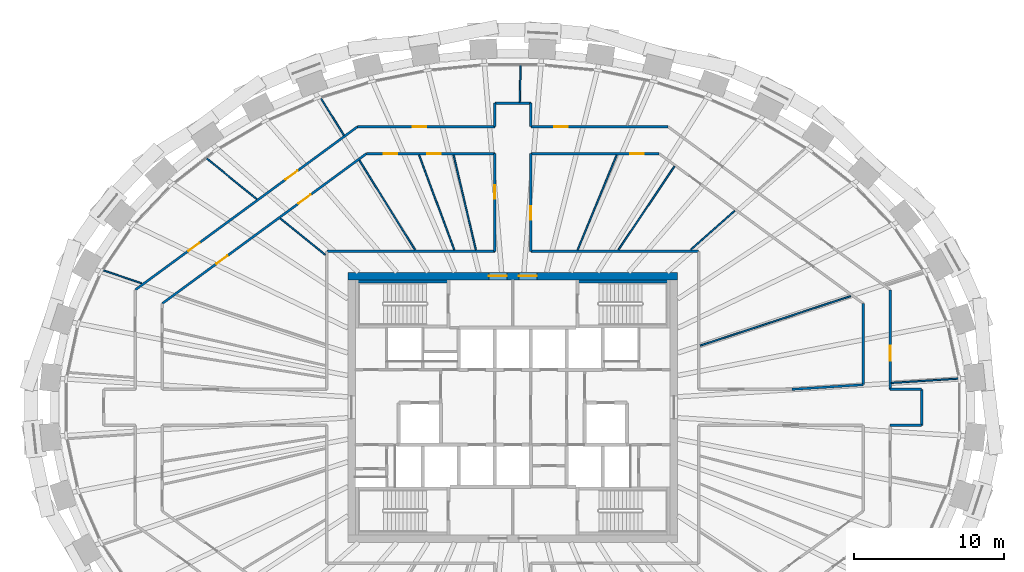
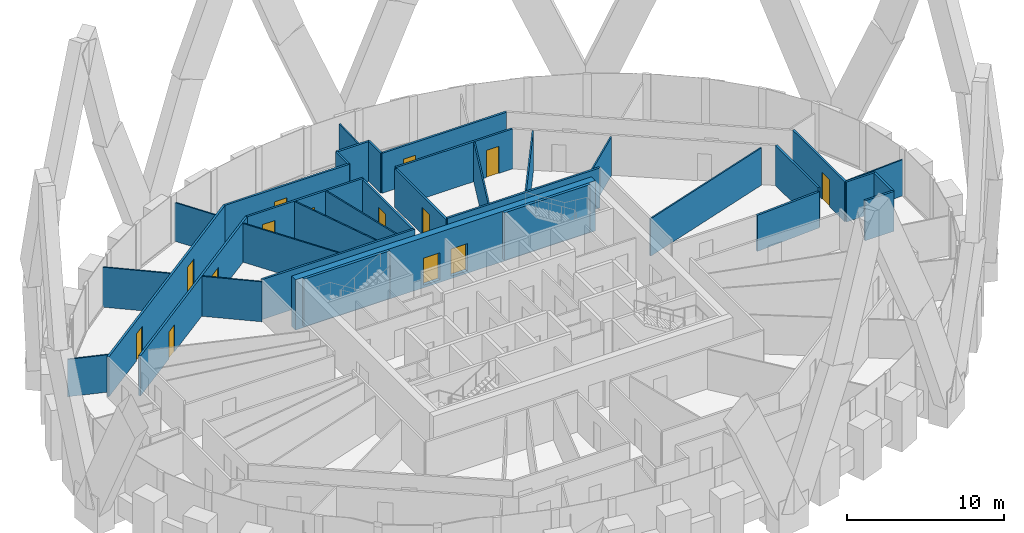
# One storey, part 11 of 14: 35 walls, 14 doors, 14 openings.
"""IFC4 building model written with IfcOpenShell, lengths in metres."""

from ifc_helpers import new_model, si_unit, direction, frame, frame_2d, origin, place, context, subcontext, project, spatial, rectangle, extrude, source, transform, mapped, material, layer, layer_set, type_object, element, fill, save


model = new_model("IFC4")

# Units and contexts
model_context = context("Model", 3, precision=1e-05, world=origin(), true_north=direction((0.0, 1.0)))
body_context = subcontext(model_context, "Body", "Model", "MODEL_VIEW")
ifc_project = project(units=[si_unit("LENGTHUNIT", "METRE"), si_unit("AREAUNIT", "SQUARE_METRE"), si_unit("VOLUMEUNIT", "CUBIC_METRE"), si_unit("PLANEANGLEUNIT", "RADIAN"), si_unit("MASSUNIT", "GRAM", prefix="KILO")], contexts=[model_context])

# Site, building, storey
site_placement = place(None, origin())
site = spatial("IfcSite", under=ifc_project, at=site_placement, CompositionType="ELEMENT")
building_placement = place(site_placement, origin())
building = spatial("IfcBuilding", under=site, at=building_placement, Name="Embergate Tower", CompositionType="ELEMENT")
storey_placement = place(building_placement, frame((0.0, 0.0, 297.39990234375)))
storey = spatial("IfcBuildingStorey", under=building, at=storey_placement, Name="L69", CompositionType="ELEMENT", Elevation=297.39990234375)

# Wall, openings, doors
ifc_material_1 = material(Name="Concrete C50", Category="concrete")
ifc_layer_1 = layer(ifc_material_1, 0.5)
ifc_layer_set_1 = layer_set([ifc_layer_1], Name="Concrete C50")
wall_type_1 = type_object("IfcWallType", Name="Core outer wall C50 500", PredefinedType="SHEAR", material=ifc_layer_set_1)
shared_shape_1 = source(origin(), body_context, "Body", "SweptSolid", [
    extrude(rectangle(XDim=22.0, YDim=0.5, at=frame_2d((11.0, 0.0))), origin(), (0.0, 0.0, 1.0), 3.900146484375),
])
wall_1_placement = place(storey_placement, frame((-11.0, 8.75, -0.199951171875), z_axis=(0.0, 0.0, 1.0), x_axis=(1.0, 0.0, 0.0)))
wall_1 = element("IfcWall", 1, at=wall_1_placement, inside=storey, type_object=wall_type_1, Name="CW-L69-N", PredefinedType="SHEAR", context=body_context, shape_type="MappedRepresentation", body=[
    mapped(shared_shape_1, transform((0.0, 0.0, 0.0))),
])
shared_shape_2 = source(origin(), body_context, "Body", "SweptSolid", [
    extrude(rectangle(XDim=1.199951171875, YDim=2.10009765625, at=frame_2d((0.60009765625, 1.050048828125))), frame((0.0, 0.260009765625, 0.0), z_axis=(0.0, -1.0, 0.0), x_axis=(1.0, 0.0, 0.0)), (0.0, 0.0, 1.0), 0.52001953125),
])
opening_1_placement = place(wall_1_placement, frame((9.39990234375, 0.0, 0.199951171875)))
opening_1 = element("IfcOpeningElement", 2, at=opening_1_placement, cuts=wall_1, Name="Opening IF-1", PredefinedType="OPENING", context=body_context, shape_type="MappedRepresentation", body=[
    mapped(shared_shape_2, transform((0.0, 0.0, 0.0))),
])
opening_2_placement = place(wall_1_placement, frame((11.39990234375, 0.0, 0.199951171875)))
opening_2 = element("IfcOpeningElement", 3, at=opening_2_placement, cuts=wall_1, Name="Opening IF-1", PredefinedType="OPENING", context=body_context, shape_type="MappedRepresentation", body=[
    mapped(shared_shape_2, transform((0.0, 0.0, 0.0))),
])
ifc_material_2 = material(Name="Escape fire door 1200")
door_type_1 = type_object("IfcDoorType", Name="Escape fire door 1200", OperationType="SINGLE_SWING_LEFT", PredefinedType="DOOR", material=ifc_material_2)
shared_shape_3 = source(origin(), body_context, "Body", "SweptSolid", [
    extrude(rectangle(XDim=1.199951171875, YDim=2.10009765625, at=frame_2d((0.60009765625, 1.050048828125))), frame((0.0, 0.02490234375, 0.0), z_axis=(0.0, -1.0, 0.0), x_axis=(1.0, 0.0, 0.0)), (0.0, 0.0, 1.0), 0.050048828125),
])
door_1_placement = place(opening_1_placement, origin())
door_1 = element("IfcDoor", 4, at=door_1_placement, inside=storey, type_object=door_type_1, Name="IF-1 door", OperationType="SINGLE_SWING_RIGHT", OverallHeight=2.10009765625, OverallWidth=1.199951171875, PredefinedType="DOOR", context=body_context, shape_type="MappedRepresentation", body=[
    mapped(shared_shape_3, transform((0.0, 0.0, 0.0))),
])
fill(opening_1, door_1)
door_2_placement = place(opening_2_placement, origin())
door_2 = element("IfcDoor", 5, at=door_2_placement, inside=storey, type_object=door_type_1, Name="IF-1 door", OperationType="SINGLE_SWING_RIGHT", OverallHeight=2.10009765625, OverallWidth=1.199951171875, PredefinedType="DOOR", context=body_context, shape_type="MappedRepresentation", body=[
    mapped(shared_shape_3, transform((0.0, 0.0, 0.0))),
])
fill(opening_2, door_2)

# Walls
ifc_material_3 = material(Name="Corridor wall dry-lined 150")
ifc_layer_2 = layer(ifc_material_3, 0.14990234375)
ifc_layer_set_2 = layer_set([ifc_layer_2], Name="Corridor wall dry-lined 150")
wall_type_2 = type_object("IfcWallType", Name="Corridor wall dry-lined 150", PredefinedType="PARTITIONING", material=ifc_layer_set_2)
shared_shape_4 = source(origin(), body_context, "Body", "SweptSolid", [
    extrude(rectangle(XDim=11.199951171875, YDim=0.14990234375, at=frame_2d((5.60009765625, 0.0))), origin(), (0.0, 0.0, 1.0), 3.10009765625),
])
wall_2_placement = place(storey_placement, frame((12.39990234375, 10.39990234375, 0.0), z_axis=(0.0, 0.0, 1.0), x_axis=(-1.0, 0.0, 0.0)))
element("IfcWall", 6, at=wall_2_placement, inside=storey, type_object=wall_type_2, Name="IP-2 wall", PredefinedType="PARTITIONING", context=body_context, shape_type="MappedRepresentation", body=[
    mapped(shared_shape_4, transform((0.0, 0.0, 0.0))),
])
ifc_material_4 = material(Name="Corridor wall dry-lined 150 wet")
ifc_layer_3 = layer(ifc_material_4, 0.14990234375)
ifc_layer_set_3 = layer_set([ifc_layer_3], Name="Corridor wall dry-lined 150 wet")
wall_type_3 = type_object("IfcWallType", Name="Corridor wall dry-lined 150 wet", PredefinedType="PLUMBINGWALL", material=ifc_layer_set_3)
wall_3_placement = place(storey_placement, frame((-12.39990234375, 10.39990234375, 0.0), z_axis=(0.0, 0.0, 1.0), x_axis=(1.0, 0.0, 0.0)))
element("IfcWall", 7, at=wall_3_placement, inside=storey, type_object=wall_type_3, Name="IP-2 wall", PredefinedType="PLUMBINGWALL", context=body_context, shape_type="MappedRepresentation", body=[
    mapped(shared_shape_4, transform((0.0, 0.0, 0.0))),
])
shared_shape_5 = source(origin(), body_context, "Body", "SweptSolid", [
    extrude(rectangle(XDim=2.39990234375, YDim=0.14990234375, at=frame_2d((1.199951171875, 0.0))), origin(), (0.0, 0.0, 1.0), 3.10009765625),
])
wall_4_placement = place(storey_placement, frame((27.264892578125, 1.199951171875, 0.0), z_axis=(0.0, 0.0, 1.0), x_axis=(0.0, -1.0, 0.0)))
element("IfcWall", 8, at=wall_4_placement, inside=storey, type_object=wall_type_2, Name="IP-2 wall", PredefinedType="PARTITIONING", context=body_context, shape_type="MappedRepresentation", body=[
    mapped(shared_shape_5, transform((0.0, 0.0, 0.0))),
])
wall_5_placement = place(storey_placement, frame((-1.199951171875, 20.281005859375, 0.0), z_axis=(0.0, 0.0, 1.0), x_axis=(1.0, 0.0, 0.0)))
element("IfcWall", 9, at=wall_5_placement, inside=storey, type_object=wall_type_3, Name="IP-2 wall", PredefinedType="PLUMBINGWALL", context=body_context, shape_type="MappedRepresentation", body=[
    mapped(shared_shape_5, transform((0.0, 0.0, 0.0))),
])
ifc_layer_4 = layer(ifc_material_1, 0.199951171875)
ifc_layer_set_4 = layer_set([ifc_layer_4], Name="Concrete C50")
wall_type_4 = type_object("IfcWallType", Name="Stair enclosure wall reinforced concrete 250", PredefinedType="SHEAR", material=ifc_layer_set_4)
shared_shape_6 = source(origin(), body_context, "Body", "SweptSolid", [
    extrude(rectangle(XDim=6.298095703125, YDim=0.199951171875, at=frame_2d((3.14892578125, 0.0))), origin(), (0.0, 0.0, 1.0), 3.7001953125),
])
for number, where, z_axis, x_axis, name in (
    (10, (-4.201904296875, 8.39990234375, 0.0), (0.0, 0.0, 1.0), (-1.0, 0.0, 0.0), "SE-1 wall"),
    (11, (10.5, 8.39990234375, 0.0), (0.0, 0.0, 1.0), (-1.0, 0.0, 0.0), "SE-1 wall"),
):
    element("IfcWall", number, at=place(storey_placement, frame(where, z_axis=z_axis, x_axis=x_axis)), inside=storey, type_object=wall_type_4, Name=name, PredefinedType="SHEAR", context=body_context, shape_type="MappedRepresentation", body=[
        mapped(shared_shape_6, transform((0.0, 0.0, 0.0))),
    ])

# Wall, openings, doors
shared_shape_7 = source(origin(), body_context, "Body", "SweptSolid", [
    extrude(rectangle(XDim=18.38427734375, YDim=0.14990234375, at=frame_2d((9.192138671875, 0.0))), origin(), (0.0, 0.0, 1.0), 3.10009765625),
])
wall_6_placement = place(storey_placement, frame((-25.166015625, 7.833984375, 0.0), z_axis=(0.0, 0.0, 1.0), x_axis=(0.80612330372, 0.591747597545, 0.0)))
wall_6 = element("IfcWall", 12, at=wall_6_placement, inside=storey, type_object=wall_type_3, Name="IP-2 wall", PredefinedType="PLUMBINGWALL", context=body_context, shape_type="MappedRepresentation", body=[
    mapped(shared_shape_7, transform((0.0, 0.0, 0.0))),
])
shared_shape_8 = source(origin(), body_context, "Body", "SweptSolid", [
    extrude(rectangle(XDim=1.0, YDim=2.10009765625, at=frame_2d((0.5, 1.050048828125))), frame((0.0, 0.0849609375, 0.0), z_axis=(0.0, -1.0, 0.0), x_axis=(1.0, 0.0, 0.0)), (0.0, 0.0, 1.0), 0.169921875),
])
opening_3_placement = place(wall_6_placement, frame((12.43115234375, 0.0, 0.0)))
opening_3 = element("IfcOpeningElement", 13, at=opening_3_placement, cuts=wall_6, Name="Opening ID-2", PredefinedType="OPENING", context=body_context, shape_type="MappedRepresentation", body=[
    mapped(shared_shape_8, transform((0.0, 0.0, 0.0))),
])
shared_shape_9 = source(origin(), body_context, "Body", "SweptSolid", [
    extrude(rectangle(XDim=0.89990234375, YDim=2.10009765625, at=frame_2d((0.449951171875, 1.050048828125))), frame((0.0, 0.0849609375, 0.0), z_axis=(0.0, -1.0, 0.0), x_axis=(1.0, 0.0, 0.0)), (0.0, 0.0, 1.0), 0.169921875),
])
opening_4_placement = place(wall_6_placement, frame((4.39111328125, 0.0, 0.0)))
opening_4 = element("IfcOpeningElement", 14, at=opening_4_placement, cuts=wall_6, Name="Opening IF-1c", PredefinedType="OPENING", context=body_context, shape_type="MappedRepresentation", body=[
    mapped(shared_shape_9, transform((0.0, 0.0, 0.0))),
])
ifc_material_5 = material(Name="Escape fire door 900")
door_type_2 = type_object("IfcDoorType", Name="Escape fire door 900", OperationType="SINGLE_SWING_LEFT", PredefinedType="DOOR", material=ifc_material_5)
shared_shape_10 = source(origin(), body_context, "Body", "SweptSolid", [
    extrude(rectangle(XDim=0.89990234375, YDim=2.10009765625, at=frame_2d((0.449951171875, 1.050048828125))), frame((0.0, 0.02490234375, 0.0), z_axis=(0.0, -1.0, 0.0), x_axis=(1.0, 0.0, 0.0)), (0.0, 0.0, 1.0), 0.050048828125),
])
door_3_placement = place(opening_4_placement, origin())
door_3 = element("IfcDoor", 15, at=door_3_placement, inside=storey, type_object=door_type_2, Name="IF-1 door", OperationType="SINGLE_SWING_RIGHT", OverallHeight=2.10009765625, OverallWidth=0.89990234375, PredefinedType="DOOR", context=body_context, shape_type="MappedRepresentation", body=[
    mapped(shared_shape_10, transform((0.0, 0.0, 0.0))),
])
fill(opening_4, door_3)
ifc_material_6 = material(Name="Interior door 1000")
door_type_3 = type_object("IfcDoorType", Name="Interior door 1000", OperationType="SINGLE_SWING_LEFT", PredefinedType="DOOR", material=ifc_material_6)
shared_shape_11 = source(origin(), body_context, "Body", "SweptSolid", [
    extrude(rectangle(XDim=1.0, YDim=2.10009765625, at=frame_2d((0.5, 1.050048828125))), frame((0.0, 0.02490234375, 0.0), z_axis=(0.0, -1.0, 0.0), x_axis=(1.0, 0.0, 0.0)), (0.0, 0.0, 1.0), 0.050048828125),
])
door_4_placement = place(opening_3_placement, origin())
door_4 = element("IfcDoor", 16, at=door_4_placement, inside=storey, type_object=door_type_3, Name="ID-2 door", OperationType="SINGLE_SWING_LEFT", OverallHeight=2.10009765625, OverallWidth=1.0, PredefinedType="DOOR", context=body_context, shape_type="MappedRepresentation", body=[
    mapped(shared_shape_11, transform((0.0, 0.0, 0.0))),
])
fill(opening_3, door_4)

shared_shape_12 = source(origin(), body_context, "Body", "SweptSolid", [
    extrude(rectangle(XDim=16.8828125, YDim=0.14990234375, at=frame_2d((8.44140625, 0.0))), origin(), (0.0, 0.0, 1.0), 3.10009765625),
])
wall_7_placement = place(storey_placement, frame((-9.756103515625, 16.9130859375, 0.0), z_axis=(0.0, 0.0, 1.0), x_axis=(-0.806138724475, -0.591726589653, 0.0)))
wall_7 = element("IfcWall", 17, at=wall_7_placement, inside=storey, type_object=wall_type_3, Name="IP-2 wall", PredefinedType="PLUMBINGWALL", context=body_context, shape_type="MappedRepresentation", body=[
    mapped(shared_shape_12, transform((0.0, 0.0, 0.0))),
])
opening_5_placement = place(wall_7_placement, frame((4.610595703125, 0.0, 0.0)))
opening_5 = element("IfcOpeningElement", 18, at=opening_5_placement, cuts=wall_7, Name="Opening ID-2", PredefinedType="OPENING", context=body_context, shape_type="MappedRepresentation", body=[
    mapped(shared_shape_8, transform((0.0, 0.0, 0.0))),
])
opening_6_placement = place(wall_7_placement, frame((11.504638671875, 0.0, 0.0)))
opening_6 = element("IfcOpeningElement", 19, at=opening_6_placement, cuts=wall_7, Name="Opening IF-1c", PredefinedType="OPENING", context=body_context, shape_type="MappedRepresentation", body=[
    mapped(shared_shape_9, transform((0.0, 0.0, 0.0))),
])
door_5_placement = place(opening_6_placement, origin())
door_5 = element("IfcDoor", 20, at=door_5_placement, inside=storey, type_object=door_type_2, Name="IF-1 door", OperationType="SINGLE_SWING_RIGHT", OverallHeight=2.10009765625, OverallWidth=0.89990234375, PredefinedType="DOOR", context=body_context, shape_type="MappedRepresentation", body=[
    mapped(shared_shape_10, transform((0.0, 0.0, 0.0))),
])
fill(opening_6, door_5)
door_6_placement = place(opening_5_placement, origin())
door_6 = element("IfcDoor", 21, at=door_6_placement, inside=storey, type_object=door_type_3, Name="ID-2 door", OperationType="SINGLE_SWING_RIGHT", OverallHeight=2.10009765625, OverallWidth=1.0, PredefinedType="DOOR", context=body_context, shape_type="MappedRepresentation", body=[
    mapped(shared_shape_11, transform((0.0, 0.0, 0.0))),
])
fill(opening_5, door_6)

# Wall, opening, door
shared_shape_13 = source(origin(), body_context, "Body", "SweptSolid", [
    extrude(rectangle(XDim=9.14599609375, YDim=0.14990234375, at=frame_2d((4.572998046875, 0.0))), origin(), (0.0, 0.0, 1.0), 3.10009765625),
])
wall_8_placement = place(storey_placement, frame((1.199951171875, 18.712890625, 0.0), z_axis=(0.0, 0.0, 1.0), x_axis=(1.0, 0.0, 0.0)))
wall_8 = element("IfcWall", 22, at=wall_8_placement, inside=storey, type_object=wall_type_3, Name="IP-2 wall", PredefinedType="PLUMBINGWALL", context=body_context, shape_type="MappedRepresentation", body=[
    mapped(shared_shape_13, transform((0.0, 0.0, 0.0))),
])
opening_7_placement = place(wall_8_placement, frame((1.569091796875, 0.0, 0.0)))
opening_7 = element("IfcOpeningElement", 23, at=opening_7_placement, cuts=wall_8, Name="Opening IF-1c", PredefinedType="OPENING", context=body_context, shape_type="MappedRepresentation", body=[
    mapped(shared_shape_9, transform((0.0, 0.0, 0.0))),
])
door_7_placement = place(opening_7_placement, origin())
door_7 = element("IfcDoor", 24, at=door_7_placement, inside=storey, type_object=door_type_2, Name="IF-1 door", OperationType="SINGLE_SWING_LEFT", OverallHeight=2.10009765625, OverallWidth=0.89990234375, PredefinedType="DOOR", context=body_context, shape_type="MappedRepresentation", body=[
    mapped(shared_shape_10, transform((0.0, 0.0, 0.0))),
])
fill(opening_7, door_7)

wall_9_placement = place(storey_placement, frame((-10.345947265625, 18.712890625, 0.0), z_axis=(0.0, 0.0, 1.0), x_axis=(1.0, 0.0, 0.0)))
wall_9 = element("IfcWall", 25, at=wall_9_placement, inside=storey, type_object=wall_type_3, Name="IP-2 wall", PredefinedType="PLUMBINGWALL", context=body_context, shape_type="MappedRepresentation", body=[
    mapped(shared_shape_13, transform((0.0, 0.0, 0.0))),
])
opening_8_placement = place(wall_9_placement, frame((3.6640625, 0.0, 0.0)))
opening_8 = element("IfcOpeningElement", 26, at=opening_8_placement, cuts=wall_9, Name="Opening IF-1c", PredefinedType="OPENING", context=body_context, shape_type="MappedRepresentation", body=[
    mapped(shared_shape_9, transform((0.0, 0.0, 0.0))),
])
door_8_placement = place(opening_8_placement, origin())
door_8 = element("IfcDoor", 27, at=door_8_placement, inside=storey, type_object=door_type_2, Name="IF-1 door", OperationType="SINGLE_SWING_LEFT", OverallHeight=2.10009765625, OverallWidth=0.89990234375, PredefinedType="DOOR", context=body_context, shape_type="MappedRepresentation", body=[
    mapped(shared_shape_10, transform((0.0, 0.0, 0.0))),
])
fill(opening_8, door_8)

# Walls
shared_shape_14 = source(origin(), body_context, "Body", "SweptSolid", [
    extrude(rectangle(XDim=1.568115234375, YDim=0.14990234375, at=frame_2d((0.7841796875, 0.0))), origin(), (0.0, 0.0, 1.0), 3.10009765625),
])
for number, where, z_axis, x_axis, name in (
    (28, (1.199951171875, 20.281005859375, 0.0), (0.0, 0.0, 1.0), (0.0, -1.0, 0.0), "IP-2 wall"),
    (29, (-1.199951171875, 18.712890625, 0.0), (0.0, 0.0, 1.0), (0.0, 1.0, 0.0), "IP-2 wall"),
):
    element("IfcWall", number, at=place(storey_placement, frame(where, z_axis=z_axis, x_axis=x_axis)), inside=storey, type_object=wall_type_3, Name=name, PredefinedType="PLUMBINGWALL", context=body_context, shape_type="MappedRepresentation", body=[
        mapped(shared_shape_14, transform((0.0, 0.0, 0.0))),
    ])

# Wall, openings, doors
shared_shape_15 = source(origin(), body_context, "Body", "SweptSolid", [
    extrude(rectangle(XDim=8.55615234375, YDim=0.14990234375, at=frame_2d((4.278076171875, 0.0))), origin(), (0.0, 0.0, 1.0), 3.10009765625),
])
wall_10_placement = place(storey_placement, frame((-1.199951171875, 16.9130859375, 0.0), z_axis=(0.0, 0.0, 1.0), x_axis=(-1.0, 0.0, 0.0)))
wall_10 = element("IfcWall", 30, at=wall_10_placement, inside=storey, type_object=wall_type_3, Name="IP-2 wall", PredefinedType="PLUMBINGWALL", context=body_context, shape_type="MappedRepresentation", body=[
    mapped(shared_shape_15, transform((0.0, 0.0, 0.0))),
])
opening_9_placement = place(wall_10_placement, frame((3.5869140625, 0.0, 0.0)))
opening_9 = element("IfcOpeningElement", 31, at=opening_9_placement, cuts=wall_10, Name="Opening IF-1c", PredefinedType="OPENING", context=body_context, shape_type="MappedRepresentation", body=[
    mapped(shared_shape_9, transform((0.0, 0.0, 0.0))),
])
opening_10_placement = place(wall_10_placement, frame((6.507080078125, 0.0, 0.0)))
opening_10 = element("IfcOpeningElement", 32, at=opening_10_placement, cuts=wall_10, Name="Opening IF-1c", PredefinedType="OPENING", context=body_context, shape_type="MappedRepresentation", body=[
    mapped(shared_shape_9, transform((0.0, 0.0, 0.0))),
])
door_9_placement = place(opening_9_placement, origin())
door_9 = element("IfcDoor", 33, at=door_9_placement, inside=storey, type_object=door_type_2, Name="IF-1 door", OperationType="SINGLE_SWING_RIGHT", OverallHeight=2.10009765625, OverallWidth=0.89990234375, PredefinedType="DOOR", context=body_context, shape_type="MappedRepresentation", body=[
    mapped(shared_shape_10, transform((0.0, 0.0, 0.0))),
])
fill(opening_9, door_9)
door_10_placement = place(opening_10_placement, origin())
door_10 = element("IfcDoor", 34, at=door_10_placement, inside=storey, type_object=door_type_2, Name="IF-1 door", OperationType="SINGLE_SWING_RIGHT", OverallHeight=2.10009765625, OverallWidth=0.89990234375, PredefinedType="DOOR", context=body_context, shape_type="MappedRepresentation", body=[
    mapped(shared_shape_10, transform((0.0, 0.0, 0.0))),
])
fill(opening_10, door_10)

# Wall, opening, door
wall_11_placement = place(storey_placement, frame((1.199951171875, 16.9130859375, 0.0), z_axis=(0.0, 0.0, 1.0), x_axis=(1.0, 0.0, 0.0)))
wall_11 = element("IfcWall", 35, at=wall_11_placement, inside=storey, type_object=wall_type_3, Name="IP-2 wall", PredefinedType="PLUMBINGWALL", context=body_context, shape_type="MappedRepresentation", body=[
    mapped(shared_shape_15, transform((0.0, 0.0, 0.0))),
])
opening_11_placement = place(wall_11_placement, frame((6.632080078125, 0.0, 0.0)))
opening_11 = element("IfcOpeningElement", 36, at=opening_11_placement, cuts=wall_11, Name="Opening IF-1c", PredefinedType="OPENING", context=body_context, shape_type="MappedRepresentation", body=[
    mapped(shared_shape_9, transform((0.0, 0.0, 0.0))),
])
door_11_placement = place(opening_11_placement, origin())
door_11 = element("IfcDoor", 37, at=door_11_placement, inside=storey, type_object=door_type_2, Name="IF-1 door", OperationType="SINGLE_SWING_LEFT", OverallHeight=2.10009765625, OverallWidth=0.89990234375, PredefinedType="DOOR", context=body_context, shape_type="MappedRepresentation", body=[
    mapped(shared_shape_10, transform((0.0, 0.0, 0.0))),
])
fill(opening_11, door_11)

shared_shape_16 = source(origin(), body_context, "Body", "SweptSolid", [
    extrude(rectangle(XDim=6.51318359375, YDim=0.14990234375, at=frame_2d((3.256591796875, 0.0))), origin(), (0.0, 0.0, 1.0), 3.0),
])
wall_12_placement = place(storey_placement, frame((-1.199951171875, 10.39990234375, 0.0), z_axis=(0.0, 0.0, 1.0), x_axis=(0.0, 1.0, 0.0)))
wall_12 = element("IfcWall", 38, at=wall_12_placement, inside=storey, type_object=wall_type_3, Name="IP-2 wall", PredefinedType="PLUMBINGWALL", context=body_context, shape_type="MappedRepresentation", body=[
    mapped(shared_shape_16, transform((0.0, 0.0, 0.0))),
])
opening_12_placement = place(wall_12_placement, frame((3.509033203125, 0.0, 0.0)))
opening_12 = element("IfcOpeningElement", 39, at=opening_12_placement, cuts=wall_12, Name="Opening IF-1c", PredefinedType="OPENING", context=body_context, shape_type="MappedRepresentation", body=[
    mapped(shared_shape_9, transform((0.0, 0.0, 0.0))),
])
door_12_placement = place(opening_12_placement, origin())
door_12 = element("IfcDoor", 40, at=door_12_placement, inside=storey, type_object=door_type_2, Name="IF-1 door", OperationType="SINGLE_SWING_LEFT", OverallHeight=2.10009765625, OverallWidth=0.89990234375, PredefinedType="DOOR", context=body_context, shape_type="MappedRepresentation", body=[
    mapped(shared_shape_10, transform((0.0, 0.0, 0.0))),
])
fill(opening_12, door_12)

wall_13_placement = place(storey_placement, frame((1.199951171875, 16.9130859375, 0.0), z_axis=(0.0, 0.0, 1.0), x_axis=(0.0, -1.0, 0.0)))
wall_13 = element("IfcWall", 41, at=wall_13_placement, inside=storey, type_object=wall_type_3, Name="IP-2 wall", PredefinedType="PLUMBINGWALL", context=body_context, shape_type="MappedRepresentation", body=[
    mapped(shared_shape_16, transform((0.0, 0.0, 0.0))),
])
opening_13_placement = place(wall_13_placement, frame((3.50830078125, 0.0, 0.0)))
opening_13 = element("IfcOpeningElement", 42, at=opening_13_placement, cuts=wall_13, Name="Opening IF-1c", PredefinedType="OPENING", context=body_context, shape_type="MappedRepresentation", body=[
    mapped(shared_shape_9, transform((0.0, 0.0, 0.0))),
])
door_13_placement = place(opening_13_placement, origin())
door_13 = element("IfcDoor", 43, at=door_13_placement, inside=storey, type_object=door_type_2, Name="IF-1 door", OperationType="SINGLE_SWING_LEFT", OverallHeight=2.10009765625, OverallWidth=0.89990234375, PredefinedType="DOOR", context=body_context, shape_type="MappedRepresentation", body=[
    mapped(shared_shape_10, transform((0.0, 0.0, 0.0))),
])
fill(opening_13, door_13)

shared_shape_17 = source(origin(), body_context, "Body", "SweptSolid", [
    extrude(rectangle(XDim=6.634033203125, YDim=0.14990234375, at=frame_2d((3.31689453125, 0.0))), origin(), (0.0, 0.0, 1.0), 3.10009765625),
])
wall_14_placement = place(storey_placement, frame((25.166015625, 7.833984375, 0.0), z_axis=(0.0, 0.0, 1.0), x_axis=(0.0, -1.0, 0.0)))
wall_14 = element("IfcWall", 44, at=wall_14_placement, inside=storey, type_object=wall_type_2, Name="IP-2 wall", PredefinedType="PARTITIONING", context=body_context, shape_type="MappedRepresentation", body=[
    mapped(shared_shape_17, transform((0.0, 0.0, 0.0))),
])
opening_14_placement = place(wall_14_placement, frame((3.71630859375, 0.0, 0.0)))
opening_14 = element("IfcOpeningElement", 45, at=opening_14_placement, cuts=wall_14, Name="Opening ID-2", PredefinedType="OPENING", context=body_context, shape_type="MappedRepresentation", body=[
    mapped(shared_shape_8, transform((0.0, 0.0, 0.0))),
])
door_14_placement = place(opening_14_placement, origin())
door_14 = element("IfcDoor", 46, at=door_14_placement, inside=storey, type_object=door_type_3, Name="ID-2 door", OperationType="SINGLE_SWING_RIGHT", OverallHeight=2.10009765625, OverallWidth=1.0, PredefinedType="DOOR", context=body_context, shape_type="MappedRepresentation", body=[
    mapped(shared_shape_11, transform((0.0, 0.0, 0.0))),
])
fill(opening_14, door_14)

# Walls
shared_shape_18 = source(origin(), body_context, "Body", "SweptSolid", [
    extrude(rectangle(XDim=2.098876953125, YDim=0.14990234375, at=frame_2d((1.04931640625, 0.0))), origin(), (0.0, 0.0, 1.0), 3.10009765625),
])
for number, where, z_axis, x_axis, name in (
    (47, (25.166015625, 1.199951171875, 0.0), (0.0, 0.0, 1.0), (1.0, 0.0, 0.0), "IP-2 wall"),
    (48, (27.264892578125, -1.199951171875, 0.0), (0.0, 0.0, 1.0), (-1.0, 0.0, 0.0), "IP-2 wall"),
):
    element("IfcWall", number, at=place(storey_placement, frame(where, z_axis=z_axis, x_axis=x_axis)), inside=storey, type_object=wall_type_2, Name=name, PredefinedType="PARTITIONING", context=body_context, shape_type="MappedRepresentation", body=[
        mapped(shared_shape_18, transform((0.0, 0.0, 0.0))),
    ])
shared_shape_19 = source(origin(), body_context, "Body", "SweptSolid", [
    extrude(rectangle(XDim=5.418212890625, YDim=0.14990234375, at=frame_2d((2.708984375, 0.0))), origin(), (0.0, 0.0, 1.0), 3.10009765625),
])
wall_15_placement = place(storey_placement, frame((23.365966796875, 6.923095703125, 0.0), z_axis=(0.0, 0.0, 1.0), x_axis=(0.0, -1.0, 0.0)))
element("IfcWall", 49, at=wall_15_placement, inside=storey, type_object=wall_type_2, Name="IP-2 wall", PredefinedType="PARTITIONING", context=body_context, shape_type="MappedRepresentation", body=[
    mapped(shared_shape_19, transform((0.0, 0.0, 0.0))),
])
shared_shape_20 = source(origin(), body_context, "Body", "SweptSolid", [
    extrude(rectangle(XDim=4.750732421875, YDim=0.14990234375, at=frame_2d((2.37548828125, 0.0))), origin(), (0.0, 0.0, 1.0), 2.800048828125),
])
wall_16_placement = place(storey_placement, frame((23.365966796875, 1.5048828125, 0.0), z_axis=(0.0, 0.0, 1.0), x_axis=(-0.997937964, -0.06418582404, 0.0)))
element("IfcWall", 50, at=wall_16_placement, inside=storey, type_object=wall_type_2, Name="IP-2 wall", PredefinedType="PARTITIONING", context=body_context, shape_type="MappedRepresentation", body=[
    mapped(shared_shape_20, transform((0.0, 0.0, 0.0))),
])
ifc_material_7 = material(Name="Partition dry-lined 100 wet")
ifc_layer_5 = layer(ifc_material_7, 0.10009765625)
ifc_layer_set_5 = layer_set([ifc_layer_5], Name="Partition dry-lined 100 wet")
wall_type_5 = type_object("IfcWallType", Name="Partition dry-lined 100 wet", PredefinedType="PLUMBINGWALL", material=ifc_layer_set_5)
shared_shape_21 = source(origin(), body_context, "Body", "SweptSolid", [
    extrude(rectangle(XDim=2.969482421875, YDim=0.10009765625, at=frame_2d((1.48486328125, 0.0))), origin(), (0.0, 0.0, 1.0), 3.0),
])
wall_17_placement = place(storey_placement, frame((-11.259033203125, 18.135986328125, 0.0), z_axis=(0.0, 0.0, 1.0), x_axis=(-0.527350581852, 0.849647788098, 0.0)))
element("IfcWall", 51, at=wall_17_placement, inside=storey, type_object=wall_type_5, Name="IP-1 wall", PredefinedType="PLUMBINGWALL", context=body_context, shape_type="MappedRepresentation", body=[
    mapped(shared_shape_21, transform((0.0, 0.0, 0.0))),
])
shared_shape_22 = source(origin(), body_context, "Body", "SweptSolid", [
    extrude(rectangle(XDim=7.03125, YDim=0.10009765625, at=frame_2d((3.515625, 0.0))), origin(), (0.0, 0.0, 1.0), 3.0),
])
wall_18_placement = place(storey_placement, frame((-6.51904296875, 10.5009765625, 0.0), z_axis=(0.0, 0.0, 1.0), x_axis=(-0.527355947188, 0.849644457973, 0.0)))
element("IfcWall", 52, at=wall_18_placement, inside=storey, type_object=wall_type_5, Name="IP-1 wall", PredefinedType="PLUMBINGWALL", context=body_context, shape_type="MappedRepresentation", body=[
    mapped(shared_shape_22, transform((0.0, 0.0, 0.0))),
])
ifc_material_8 = material(Name="Partition dry-lined 100")
ifc_layer_6 = layer(ifc_material_8, 0.10009765625)
ifc_layer_set_6 = layer_set([ifc_layer_6], Name="Partition dry-lined 100")
wall_type_6 = type_object("IfcWallType", Name="Partition dry-lined 100", PredefinedType="PARTITIONING", material=ifc_layer_set_6)
shared_shape_23 = source(origin(), body_context, "Body", "SweptSolid", [
    extrude(rectangle(XDim=4.52734375, YDim=0.10009765625, at=frame_2d((2.263671875, 0.0))), origin(), (0.0, 0.0, 1.0), 2.800048828125),
])
wall_19_placement = place(storey_placement, frame((25.240966796875, 1.6259765625, 0.0), z_axis=(0.0, 0.0, 1.0), x_axis=(0.997932009228, 0.064278339728, 0.0)))
element("IfcWall", 53, at=wall_19_placement, inside=storey, type_object=wall_type_6, Name="IP-1 wall", PredefinedType="PARTITIONING", context=body_context, shape_type="MappedRepresentation", body=[
    mapped(shared_shape_23, transform((0.0, 0.0, 0.0))),
])
shared_shape_24 = source(origin(), body_context, "Body", "SweptSolid", [
    extrude(rectangle(XDim=3.90966796875, YDim=0.10009765625, at=frame_2d((1.954833984375, 0.0))), origin(), (0.0, 0.0, 1.0), 3.0),
])
wall_20_placement = place(storey_placement, frame((11.8740234375, 10.511962890625, 0.0), z_axis=(0.0, 0.0, 1.0), x_axis=(0.748644851507, 0.662971256022, 0.0)))
element("IfcWall", 54, at=wall_20_placement, inside=storey, type_object=wall_type_5, Name="IP-1 wall", PredefinedType="PLUMBINGWALL", context=body_context, shape_type="MappedRepresentation", body=[
    mapped(shared_shape_24, transform((0.0, 0.0, 0.0))),
])
shared_shape_25 = source(origin(), body_context, "Body", "SweptSolid", [
    extrude(rectangle(XDim=2.520751953125, YDim=0.10009765625, at=frame_2d((1.26025390625, 0.0))), origin(), (0.0, 0.0, 1.0), 3.10009765625),
])
wall_21_placement = place(storey_placement, frame((0.465087890625, 20.35595703125, 0.0), z_axis=(0.0, 0.0, 1.0), x_axis=(0.022954616587, 0.999736508075, 0.0)))
element("IfcWall", 55, at=wall_21_placement, inside=storey, type_object=wall_type_5, Name="IP-1 wall", PredefinedType="PLUMBINGWALL", context=body_context, shape_type="MappedRepresentation", body=[
    mapped(shared_shape_25, transform((0.0, 0.0, 0.0))),
])
shared_shape_26 = source(origin(), body_context, "Body", "SweptSolid", [
    extrude(rectangle(XDim=6.512939453125, YDim=0.10009765625, at=frame_2d((3.25634765625, 0.0))), origin(), (0.0, 0.0, 1.0), 3.10009765625),
])
wall_22_placement = place(storey_placement, frame((-2.458984375, 10.486083984375, 0.0), z_axis=(0.0, 0.0, 1.0), x_axis=(-0.228326793912, 0.97358454958, 0.0)))
element("IfcWall", 56, at=wall_22_placement, inside=storey, type_object=wall_type_5, Name="IP-1 wall", PredefinedType="PLUMBINGWALL", context=body_context, shape_type="MappedRepresentation", body=[
    mapped(shared_shape_26, transform((0.0, 0.0, 0.0))),
])
shared_shape_27 = source(origin(), body_context, "Body", "SweptSolid", [
    extrude(rectangle(XDim=6.751220703125, YDim=0.10009765625, at=frame_2d((3.37548828125, 0.0))), origin(), (0.0, 0.0, 1.0), 3.10009765625),
])
wall_23_placement = place(storey_placement, frame((-3.89599609375, 10.491943359375, 0.0), z_axis=(0.0, 0.0, 1.0), x_axis=(-0.348093918302, 0.937459665288, 0.0)))
element("IfcWall", 57, at=wall_23_placement, inside=storey, type_object=wall_type_5, Name="IP-1 wall", PredefinedType="PLUMBINGWALL", context=body_context, shape_type="MappedRepresentation", body=[
    mapped(shared_shape_27, transform((0.0, 0.0, 0.0))),
])
shared_shape_28 = source(origin(), body_context, "Body", "SweptSolid", [
    extrude(rectangle(XDim=6.70166015625, YDim=0.10009765625, at=frame_2d((3.350830078125, 0.0))), origin(), (0.0, 0.0, 1.0), 3.10009765625),
])
wall_24_placement = place(storey_placement, frame((7.047119140625, 10.5029296875, 0.0), z_axis=(0.0, 0.0, 1.0), x_axis=(0.557152569059, 0.830410148536, 0.0)))
element("IfcWall", 58, at=wall_24_placement, inside=storey, type_object=wall_type_5, Name="IP-1 wall", PredefinedType="PLUMBINGWALL", context=body_context, shape_type="MappedRepresentation", body=[
    mapped(shared_shape_28, transform((0.0, 0.0, 0.0))),
])
shared_shape_29 = source(origin(), body_context, "Body", "SweptSolid", [
    extrude(rectangle(XDim=6.841064453125, YDim=0.10009765625, at=frame_2d((3.42041015625, 0.0))), origin(), (0.0, 0.0, 1.0), 3.10009765625),
])
wall_25_placement = place(storey_placement, frame((4.322998046875, 10.493896484375, 0.0), z_axis=(0.0, 0.0, 1.0), x_axis=(0.380932883168, 0.924602692253, 0.0)))
element("IfcWall", 59, at=wall_25_placement, inside=storey, type_object=wall_type_5, Name="IP-1 wall", PredefinedType="PLUMBINGWALL", context=body_context, shape_type="MappedRepresentation", body=[
    mapped(shared_shape_29, transform((0.0, 0.0, 0.0))),
])
shared_shape_30 = source(origin(), body_context, "Body", "SweptSolid", [
    extrude(rectangle(XDim=4.380126953125, YDim=0.10009765625, at=frame_2d((2.18994140625, 0.0))), origin(), (0.0, 0.0, 1.0), 3.10009765625),
])
wall_26_placement = place(storey_placement, frame((-17.073974609375, 13.883056640625, 0.0), z_axis=(0.0, 0.0, 1.0), x_axis=(-0.775769485548, 0.631016406516, 0.0)))
element("IfcWall", 60, at=wall_26_placement, inside=storey, type_object=wall_type_6, Name="IP-1 wall", PredefinedType="PARTITIONING", context=body_context, shape_type="MappedRepresentation", body=[
    mapped(shared_shape_30, transform((0.0, 0.0, 0.0))),
])
shared_shape_31 = source(origin(), body_context, "Body", "SweptSolid", [
    extrude(rectangle(XDim=3.844970703125, YDim=0.10009765625, at=frame_2d((1.92236328125, 0.0))), origin(), (0.0, 0.0, 1.0), 3.10009765625),
])
wall_27_placement = place(storey_placement, frame((-12.507080078125, 10.1689453125, 0.0), z_axis=(0.0, 0.0, 1.0), x_axis=(-0.775807030677, 0.630970245853, 0.0)))
element("IfcWall", 61, at=wall_27_placement, inside=storey, type_object=wall_type_6, Name="IP-1 wall", PredefinedType="PARTITIONING", context=body_context, shape_type="MappedRepresentation", body=[
    mapped(shared_shape_31, transform((0.0, 0.0, 0.0))),
])
shared_shape_32 = source(origin(), body_context, "Body", "SweptSolid", [
    extrude(rectangle(XDim=2.763671875, YDim=0.10009765625, at=frame_2d((1.3818359375, 0.0))), origin(), (0.0, 0.0, 1.0), 2.900146484375),
])
wall_28_placement = place(storey_placement, frame((-24.743896484375, 8.27294921875, 0.0), z_axis=(0.0, 0.0, 1.0), x_axis=(-0.948435651282, 0.316969738897, 0.0)))
element("IfcWall", 62, at=wall_28_placement, inside=storey, type_object=wall_type_6, Name="IP-1 wall", PredefinedType="PARTITIONING", context=body_context, shape_type="MappedRepresentation", body=[
    mapped(shared_shape_32, transform((0.0, 0.0, 0.0))),
])
shared_shape_33 = source(origin(), body_context, "Body", "SweptSolid", [
    extrude(rectangle(XDim=10.56103515625, YDim=0.10009765625, at=frame_2d((5.280517578125, 0.0))), origin(), (0.0, 0.0, 1.0), 2.900146484375),
])
wall_29_placement = place(storey_placement, frame((12.490966796875, 4.111083984375, 0.0), z_axis=(0.0, 0.0, 1.0), x_axis=(0.949896803955, 0.312563692446, 0.0)))
element("IfcWall", 63, at=wall_29_placement, inside=storey, type_object=wall_type_6, Name="IP-1 wall", PredefinedType="PARTITIONING", context=body_context, shape_type="MappedRepresentation", body=[
    mapped(shared_shape_33, transform((0.0, 0.0, 0.0))),
])

save(model, "model.ifc")
